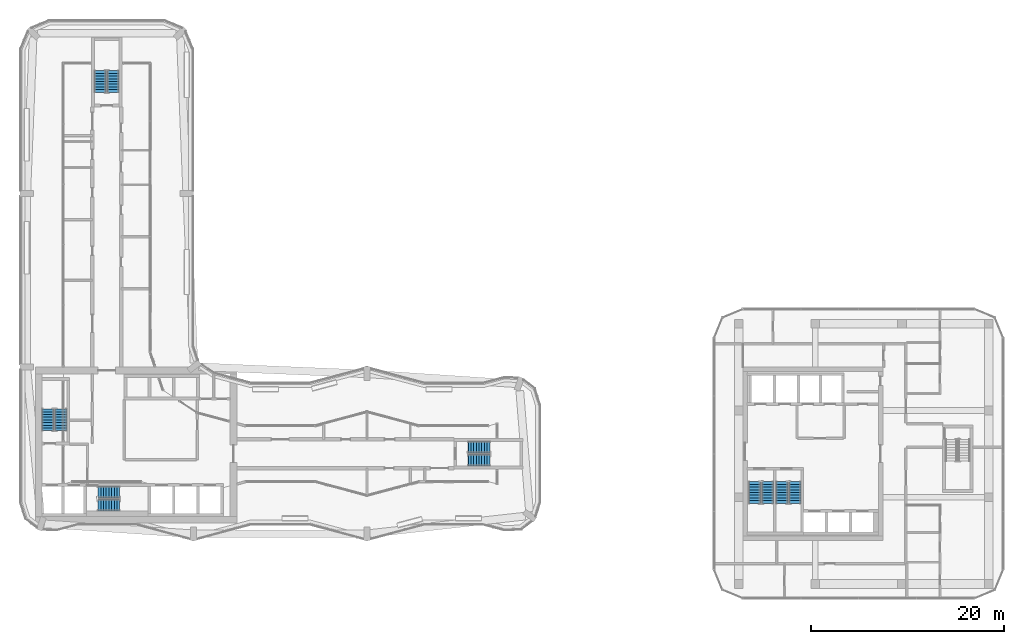
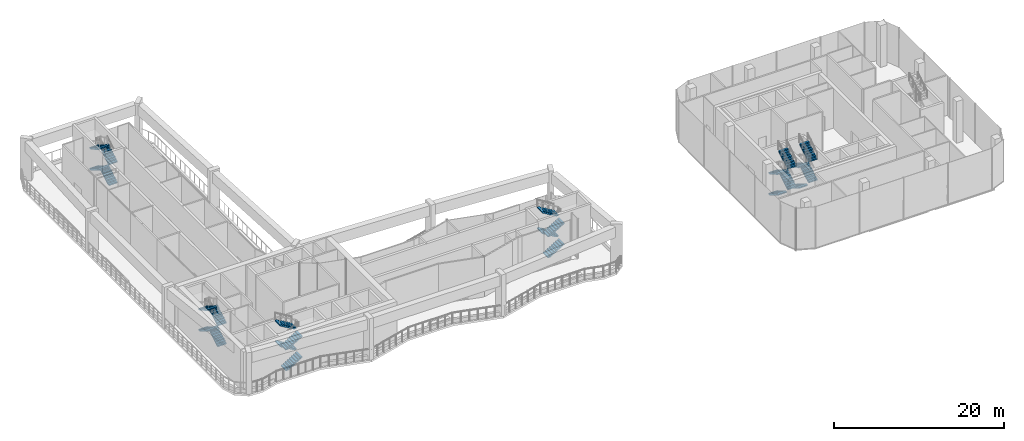
# One storey, part 19 of 24: 24 stair flights, 6 elements without a shape of their own.
"""IFC4 building model written with IfcOpenShell, lengths in metres."""

from ifc_helpers import new_model, si_unit, direction, frame, origin, place, context, subcontext, project, spatial, polyline, outline, extrude, material, type_object, element, aggregate, save


model = new_model("IFC4")

# Units and contexts
model_context = context("Model", 3, precision=1e-05, world=origin(), true_north=direction((0.0, 1.0)))
body_context = subcontext(model_context, "Body", "Model", "MODEL_VIEW")
ifc_project = project(units=[si_unit("LENGTHUNIT", "METRE"), si_unit("AREAUNIT", "SQUARE_METRE"), si_unit("VOLUMEUNIT", "CUBIC_METRE"), si_unit("PLANEANGLEUNIT", "RADIAN"), si_unit("MASSUNIT", "GRAM", prefix="KILO")], contexts=[model_context])

# Site, building, storey
site_placement = place(None, origin())
site = spatial("IfcSite", under=ifc_project, at=site_placement, CompositionType="ELEMENT")
building_placement = place(site_placement, origin())
building = spatial("IfcBuilding", under=site, at=building_placement, Name="Plateau Cross Towers", CompositionType="ELEMENT")
storey_placement = place(building_placement, frame((0.0, 0.0, 72.300048828125)))
storey = spatial("IfcBuildingStorey", under=building, at=storey_placement, Name="L18", CompositionType="ELEMENT", Elevation=72.300048828125)

# Stair, stair flights
ifc_material = material(Name="Concrete C40/50", Category="concrete")
stair_type = type_object("IfcStairType", Name="ST-TWR", PredefinedType="HALF_TURN_STAIR", material=ifc_material)
stair_1_placement = place(storey_placement, origin())
stair_1 = element("IfcStair", 1, at=stair_1_placement, inside=storey, type_object=stair_type, Name="L18 Protected Exit Stair ST-1", PredefinedType="HALF_TURN_STAIR")
stair_flight_type = type_object("IfcStairFlightType", Name="SFL-RC", PredefinedType="STRAIGHT", material=ifc_material)
stair_flight_1_placement = place(storey_placement, frame((4.25, 11.39990234375, 0.0), z_axis=(0.0, 0.0, 1.0), x_axis=(0.0, 1.0, 0.0)))
stair_flight_1 = element("IfcStairFlight", 2, at=stair_flight_1_placement, type_object=stair_flight_type, Name="ST-1 flight 1", NumberOfRisers=9, NumberOfTreads=8, PredefinedType="STRAIGHT", RiserHeight=0.166666667, TreadLength=0.28, context=body_context, shape_type="SweptSolid", body=[
    extrude(outline(polyline([(-0.0048828125, -0.010009765625), (-0.0048828125, 0.0), (0.0, 0.0), (0.0, 0.166748046875), (0.280029296875, 0.166748046875), (0.280029296875, 0.333251953125), (0.56005859375, 0.333251953125), (0.56005859375, 0.5), (0.840087890625, 0.5), (0.840087890625, 0.666748046875), (1.1201171875, 0.666748046875), (1.1201171875, 0.833251953125), (1.39990234375, 0.833251953125), (1.39990234375, 1.0), (1.679931640625, 1.0), (1.679931640625, 1.166748046875), (1.9599609375, 1.166748046875), (1.9599609375, 1.333251953125), (2.239990234375, 1.333251953125), (2.2451171875, 1.3232421875), (2.2451171875, 1.158935546875), (2.239990234375, 1.158935546875), (0.29296875, 0.0), (0.02001953125, 0.0), (0.02001953125, -0.010009765625), (-0.0048828125, -0.010009765625)])), frame((0.0, 0.60009765625, 0.0), z_axis=(0.0, -1.0, 0.0), x_axis=(1.0, 0.0, 0.0)), (0.0, 0.0, 1.0), 1.199951171875),
])
stair_flight_2_placement = place(storey_placement, frame((2.89990234375, 13.639892578125, 1.5), z_axis=(0.0, 0.0, 1.0), x_axis=(0.0, -1.0, 0.0)))
stair_flight_2 = element("IfcStairFlight", 3, at=stair_flight_2_placement, type_object=stair_flight_type, Name="ST-1 flight 2", NumberOfRisers=9, NumberOfTreads=8, PredefinedType="STRAIGHT", RiserHeight=0.166666667, TreadLength=0.28, context=body_context, shape_type="SweptSolid", body=[
    extrude(outline(polyline([(-0.0048828125, -0.010009765625), (-0.0048828125, 0.0), (0.0, 0.0), (0.0, 0.166748046875), (0.280029296875, 0.166748046875), (0.280029296875, 0.333251953125), (0.56005859375, 0.333251953125), (0.56005859375, 0.5), (0.840087890625, 0.5), (0.840087890625, 0.666748046875), (1.1201171875, 0.666748046875), (1.1201171875, 0.833251953125), (1.39990234375, 0.833251953125), (1.39990234375, 1.0), (1.679931640625, 1.0), (1.679931640625, 1.166748046875), (1.9599609375, 1.166748046875), (1.9599609375, 1.333251953125), (2.239990234375, 1.333251953125), (2.2451171875, 1.3232421875), (2.2451171875, 1.158935546875), (2.239990234375, 1.158935546875), (0.29296875, 0.0), (0.02001953125, 0.0), (0.02001953125, -0.010009765625), (-0.0048828125, -0.010009765625)])), frame((0.0, 0.60009765625, 0.0), z_axis=(0.0, -1.0, 0.0), x_axis=(1.0, 0.0, 0.0)), (0.0, 0.0, 1.0), 1.199951171875),
])
stair_flight_3_placement = place(storey_placement, frame((4.25, 11.39990234375, 3.0), z_axis=(0.0, 0.0, 1.0), x_axis=(0.0, 1.0, 0.0)))
stair_flight_3 = element("IfcStairFlight", 4, at=stair_flight_3_placement, type_object=stair_flight_type, Name="ST-1 flight 3", NumberOfRisers=9, NumberOfTreads=8, PredefinedType="STRAIGHT", RiserHeight=0.166666667, TreadLength=0.28, context=body_context, shape_type="SweptSolid", body=[
    extrude(outline(polyline([(-0.0048828125, -0.010009765625), (-0.0048828125, 0.0), (0.0, 0.0), (0.0, 0.166748046875), (0.280029296875, 0.166748046875), (0.280029296875, 0.333251953125), (0.56005859375, 0.333251953125), (0.56005859375, 0.5), (0.840087890625, 0.5), (0.840087890625, 0.666748046875), (1.1201171875, 0.666748046875), (1.1201171875, 0.833251953125), (1.39990234375, 0.833251953125), (1.39990234375, 1.0), (1.679931640625, 1.0), (1.679931640625, 1.166748046875), (1.9599609375, 1.166748046875), (1.9599609375, 1.333251953125), (2.239990234375, 1.333251953125), (2.2451171875, 1.3232421875), (2.2451171875, 1.158935546875), (2.239990234375, 1.158935546875), (0.29296875, 0.0), (0.02001953125, 0.0), (0.02001953125, -0.010009765625), (-0.0048828125, -0.010009765625)])), frame((0.0, 0.60009765625, 0.0), z_axis=(0.0, -1.0, 0.0), x_axis=(1.0, 0.0, 0.0)), (0.0, 0.0, 1.0), 1.199951171875),
])
stair_flight_4_placement = place(storey_placement, frame((2.89990234375, 13.639892578125, 4.5), z_axis=(0.0, 0.0, 1.0), x_axis=(0.0, -1.0, 0.0)))
stair_flight_4 = element("IfcStairFlight", 5, at=stair_flight_4_placement, type_object=stair_flight_type, Name="ST-1 flight 4", NumberOfRisers=9, NumberOfTreads=8, PredefinedType="STRAIGHT", RiserHeight=0.166666667, TreadLength=0.28, context=body_context, shape_type="SweptSolid", body=[
    extrude(outline(polyline([(-0.0048828125, -0.010009765625), (-0.0048828125, 0.0), (0.0, 0.0), (0.0, 0.166748046875), (0.280029296875, 0.166748046875), (0.280029296875, 0.333251953125), (0.56005859375, 0.333251953125), (0.56005859375, 0.5), (0.840087890625, 0.5), (0.840087890625, 0.666748046875), (1.1201171875, 0.666748046875), (1.1201171875, 0.833251953125), (1.39990234375, 0.833251953125), (1.39990234375, 1.0), (1.679931640625, 1.0), (1.679931640625, 1.166748046875), (1.9599609375, 1.166748046875), (1.9599609375, 1.333251953125), (2.239990234375, 1.333251953125), (2.2451171875, 1.3232421875), (2.2451171875, 1.158935546875), (2.239990234375, 1.158935546875), (0.29296875, 0.0), (0.02001953125, 0.0), (0.02001953125, -0.010009765625), (-0.0048828125, -0.010009765625)])), frame((0.0, 0.60009765625, 0.0), z_axis=(0.0, -1.0, 0.0), x_axis=(1.0, 0.0, 0.0)), (0.0, 0.0, 1.0), 1.199951171875),
])
aggregate(stair_1, [stair_flight_1, stair_flight_2, stair_flight_3, stair_flight_4])

stair_2_placement = place(storey_placement, origin())
stair_2 = element("IfcStair", 6, at=stair_2_placement, inside=storey, type_object=stair_type, Name="L18 Protected Exit Stair ST-2", PredefinedType="HALF_TURN_STAIR")
stair_flight_5_placement = place(storey_placement, frame((8.10009765625, 3.64990234375, 0.0), z_axis=(0.0, 0.0, 1.0), x_axis=(1.0, 0.0, 0.0)))
stair_flight_5 = element("IfcStairFlight", 7, at=stair_flight_5_placement, type_object=stair_flight_type, Name="ST-2 flight 1", NumberOfRisers=9, NumberOfTreads=8, PredefinedType="STRAIGHT", RiserHeight=0.166666667, TreadLength=0.28, context=body_context, shape_type="SweptSolid", body=[
    extrude(outline(polyline([(-0.0048828125, -0.010009765625), (-0.0048828125, 0.0), (0.0, 0.0), (0.0, 0.166748046875), (0.280029296875, 0.166748046875), (0.280029296875, 0.333251953125), (0.56005859375, 0.333251953125), (0.56005859375, 0.5), (0.840087890625, 0.5), (0.840087890625, 0.666748046875), (1.1201171875, 0.666748046875), (1.1201171875, 0.833251953125), (1.39990234375, 0.833251953125), (1.39990234375, 1.0), (1.679931640625, 1.0), (1.679931640625, 1.166748046875), (1.9599609375, 1.166748046875), (1.9599609375, 1.333251953125), (2.239990234375, 1.333251953125), (2.2451171875, 1.3232421875), (2.2451171875, 1.158935546875), (2.239990234375, 1.158935546875), (0.29296875, 0.0), (0.02001953125, 0.0), (0.02001953125, -0.010009765625), (-0.0048828125, -0.010009765625)])), frame((0.0, 0.60009765625, 0.0), z_axis=(0.0, -1.0, 0.0), x_axis=(1.0, 0.0, 0.0)), (0.0, 0.0, 1.0), 1.199951171875),
])
stair_flight_6_placement = place(storey_placement, frame((10.340087890625, 5.0, 1.5), z_axis=(0.0, 0.0, 1.0), x_axis=(-1.0, 0.0, 0.0)))
stair_flight_6 = element("IfcStairFlight", 8, at=stair_flight_6_placement, type_object=stair_flight_type, Name="ST-2 flight 2", NumberOfRisers=9, NumberOfTreads=8, PredefinedType="STRAIGHT", RiserHeight=0.166666667, TreadLength=0.28, context=body_context, shape_type="SweptSolid", body=[
    extrude(outline(polyline([(-0.0048828125, -0.010009765625), (-0.0048828125, 0.0), (0.0, 0.0), (0.0, 0.166748046875), (0.280029296875, 0.166748046875), (0.280029296875, 0.333251953125), (0.56005859375, 0.333251953125), (0.56005859375, 0.5), (0.840087890625, 0.5), (0.840087890625, 0.666748046875), (1.1201171875, 0.666748046875), (1.1201171875, 0.833251953125), (1.39990234375, 0.833251953125), (1.39990234375, 1.0), (1.679931640625, 1.0), (1.679931640625, 1.166748046875), (1.9599609375, 1.166748046875), (1.9599609375, 1.333251953125), (2.239990234375, 1.333251953125), (2.2451171875, 1.3232421875), (2.2451171875, 1.158935546875), (2.239990234375, 1.158935546875), (0.29296875, 0.0), (0.02001953125, 0.0), (0.02001953125, -0.010009765625), (-0.0048828125, -0.010009765625)])), frame((0.0, 0.60009765625, 0.0), z_axis=(0.0, -1.0, 0.0), x_axis=(1.0, 0.0, 0.0)), (0.0, 0.0, 1.0), 1.199951171875),
])
stair_flight_7_placement = place(storey_placement, frame((8.10009765625, 3.64990234375, 3.0), z_axis=(0.0, 0.0, 1.0), x_axis=(1.0, 0.0, 0.0)))
stair_flight_7 = element("IfcStairFlight", 9, at=stair_flight_7_placement, type_object=stair_flight_type, Name="ST-2 flight 3", NumberOfRisers=9, NumberOfTreads=8, PredefinedType="STRAIGHT", RiserHeight=0.166666667, TreadLength=0.28, context=body_context, shape_type="SweptSolid", body=[
    extrude(outline(polyline([(-0.0048828125, -0.010009765625), (-0.0048828125, 0.0), (0.0, 0.0), (0.0, 0.166748046875), (0.280029296875, 0.166748046875), (0.280029296875, 0.333251953125), (0.56005859375, 0.333251953125), (0.56005859375, 0.5), (0.840087890625, 0.5), (0.840087890625, 0.666748046875), (1.1201171875, 0.666748046875), (1.1201171875, 0.833251953125), (1.39990234375, 0.833251953125), (1.39990234375, 1.0), (1.679931640625, 1.0), (1.679931640625, 1.166748046875), (1.9599609375, 1.166748046875), (1.9599609375, 1.333251953125), (2.239990234375, 1.333251953125), (2.2451171875, 1.3232421875), (2.2451171875, 1.158935546875), (2.239990234375, 1.158935546875), (0.29296875, 0.0), (0.02001953125, 0.0), (0.02001953125, -0.010009765625), (-0.0048828125, -0.010009765625)])), frame((0.0, 0.60009765625, 0.0), z_axis=(0.0, -1.0, 0.0), x_axis=(1.0, 0.0, 0.0)), (0.0, 0.0, 1.0), 1.199951171875),
])
stair_flight_8_placement = place(storey_placement, frame((10.340087890625, 5.0, 4.5), z_axis=(0.0, 0.0, 1.0), x_axis=(-1.0, 0.0, 0.0)))
stair_flight_8 = element("IfcStairFlight", 10, at=stair_flight_8_placement, type_object=stair_flight_type, Name="ST-2 flight 4", NumberOfRisers=9, NumberOfTreads=8, PredefinedType="STRAIGHT", RiserHeight=0.166666667, TreadLength=0.28, context=body_context, shape_type="SweptSolid", body=[
    extrude(outline(polyline([(-0.0048828125, -0.010009765625), (-0.0048828125, 0.0), (0.0, 0.0), (0.0, 0.166748046875), (0.280029296875, 0.166748046875), (0.280029296875, 0.333251953125), (0.56005859375, 0.333251953125), (0.56005859375, 0.5), (0.840087890625, 0.5), (0.840087890625, 0.666748046875), (1.1201171875, 0.666748046875), (1.1201171875, 0.833251953125), (1.39990234375, 0.833251953125), (1.39990234375, 1.0), (1.679931640625, 1.0), (1.679931640625, 1.166748046875), (1.9599609375, 1.166748046875), (1.9599609375, 1.333251953125), (2.239990234375, 1.333251953125), (2.2451171875, 1.3232421875), (2.2451171875, 1.158935546875), (2.239990234375, 1.158935546875), (0.29296875, 0.0), (0.02001953125, 0.0), (0.02001953125, -0.010009765625), (-0.0048828125, -0.010009765625)])), frame((0.0, 0.60009765625, 0.0), z_axis=(0.0, -1.0, 0.0), x_axis=(1.0, 0.0, 0.0)), (0.0, 0.0, 1.0), 1.199951171875),
])
aggregate(stair_2, [stair_flight_5, stair_flight_6, stair_flight_7, stair_flight_8])

stair_3_placement = place(storey_placement, origin())
stair_3 = element("IfcStair", 11, at=stair_3_placement, inside=storey, type_object=stair_type, Name="L18 Protected Exit Stair SB-1", PredefinedType="HALF_TURN_STAIR")
stair_flight_9_placement = place(storey_placement, frame((76.199951171875, 6.10009765625, 0.0), z_axis=(0.0, 0.0, 1.0), x_axis=(0.0, -1.0, 0.0)))
stair_flight_9 = element("IfcStairFlight", 12, at=stair_flight_9_placement, type_object=stair_flight_type, Name="SB-1 flight 1", NumberOfRisers=9, NumberOfTreads=8, PredefinedType="STRAIGHT", RiserHeight=0.166666667, TreadLength=0.28, context=body_context, shape_type="SweptSolid", body=[
    extrude(outline(polyline([(-0.0048828125, -0.010009765625), (-0.0048828125, 0.0), (0.0, 0.0), (0.0, 0.166748046875), (0.280029296875, 0.166748046875), (0.280029296875, 0.333251953125), (0.56005859375, 0.333251953125), (0.56005859375, 0.5), (0.840087890625, 0.5), (0.840087890625, 0.666748046875), (1.1201171875, 0.666748046875), (1.1201171875, 0.833251953125), (1.39990234375, 0.833251953125), (1.39990234375, 1.0), (1.679931640625, 1.0), (1.679931640625, 1.166748046875), (1.9599609375, 1.166748046875), (1.9599609375, 1.333251953125), (2.239990234375, 1.333251953125), (2.2451171875, 1.3232421875), (2.2451171875, 1.158935546875), (2.239990234375, 1.158935546875), (0.29296875, 0.0), (0.02001953125, 0.0), (0.02001953125, -0.010009765625), (-0.0048828125, -0.010009765625)])), frame((0.0, 0.60009765625, 0.0), z_axis=(0.0, -1.0, 0.0), x_axis=(1.0, 0.0, 0.0)), (0.0, 0.0, 1.0), 1.199951171875),
])
stair_flight_10_placement = place(storey_placement, frame((77.550048828125, 3.860107421875, 1.5), z_axis=(0.0, 0.0, 1.0), x_axis=(0.0, 1.0, 0.0)))
stair_flight_10 = element("IfcStairFlight", 13, at=stair_flight_10_placement, type_object=stair_flight_type, Name="SB-1 flight 2", NumberOfRisers=9, NumberOfTreads=8, PredefinedType="STRAIGHT", RiserHeight=0.166666667, TreadLength=0.28, context=body_context, shape_type="SweptSolid", body=[
    extrude(outline(polyline([(-0.0048828125, -0.010009765625), (-0.0048828125, 0.0), (0.0, 0.0), (0.0, 0.166748046875), (0.280029296875, 0.166748046875), (0.280029296875, 0.333251953125), (0.56005859375, 0.333251953125), (0.56005859375, 0.5), (0.840087890625, 0.5), (0.840087890625, 0.666748046875), (1.1201171875, 0.666748046875), (1.1201171875, 0.833251953125), (1.39990234375, 0.833251953125), (1.39990234375, 1.0), (1.679931640625, 1.0), (1.679931640625, 1.166748046875), (1.9599609375, 1.166748046875), (1.9599609375, 1.333251953125), (2.239990234375, 1.333251953125), (2.2451171875, 1.3232421875), (2.2451171875, 1.158935546875), (2.239990234375, 1.158935546875), (0.29296875, 0.0), (0.02001953125, 0.0), (0.02001953125, -0.010009765625), (-0.0048828125, -0.010009765625)])), frame((0.0, 0.60009765625, 0.0), z_axis=(0.0, -1.0, 0.0), x_axis=(1.0, 0.0, 0.0)), (0.0, 0.0, 1.0), 1.199951171875),
])
stair_flight_11_placement = place(storey_placement, frame((76.199951171875, 6.10009765625, 3.0), z_axis=(0.0, 0.0, 1.0), x_axis=(0.0, -1.0, 0.0)))
stair_flight_11 = element("IfcStairFlight", 14, at=stair_flight_11_placement, type_object=stair_flight_type, Name="SB-1 flight 3", NumberOfRisers=9, NumberOfTreads=8, PredefinedType="STRAIGHT", RiserHeight=0.166666667, TreadLength=0.28, context=body_context, shape_type="SweptSolid", body=[
    extrude(outline(polyline([(-0.0048828125, -0.010009765625), (-0.0048828125, 0.0), (0.0, 0.0), (0.0, 0.166748046875), (0.280029296875, 0.166748046875), (0.280029296875, 0.333251953125), (0.56005859375, 0.333251953125), (0.56005859375, 0.5), (0.840087890625, 0.5), (0.840087890625, 0.666748046875), (1.1201171875, 0.666748046875), (1.1201171875, 0.833251953125), (1.39990234375, 0.833251953125), (1.39990234375, 1.0), (1.679931640625, 1.0), (1.679931640625, 1.166748046875), (1.9599609375, 1.166748046875), (1.9599609375, 1.333251953125), (2.239990234375, 1.333251953125), (2.2451171875, 1.3232421875), (2.2451171875, 1.158935546875), (2.239990234375, 1.158935546875), (0.29296875, 0.0), (0.02001953125, 0.0), (0.02001953125, -0.010009765625), (-0.0048828125, -0.010009765625)])), frame((0.0, 0.60009765625, 0.0), z_axis=(0.0, -1.0, 0.0), x_axis=(1.0, 0.0, 0.0)), (0.0, 0.0, 1.0), 1.199951171875),
])
stair_flight_12_placement = place(storey_placement, frame((77.550048828125, 3.860107421875, 4.5), z_axis=(0.0, 0.0, 1.0), x_axis=(0.0, 1.0, 0.0)))
stair_flight_12 = element("IfcStairFlight", 15, at=stair_flight_12_placement, type_object=stair_flight_type, Name="SB-1 flight 4", NumberOfRisers=9, NumberOfTreads=8, PredefinedType="STRAIGHT", RiserHeight=0.166666667, TreadLength=0.28, context=body_context, shape_type="SweptSolid", body=[
    extrude(outline(polyline([(-0.0048828125, -0.010009765625), (-0.0048828125, 0.0), (0.0, 0.0), (0.0, 0.166748046875), (0.280029296875, 0.166748046875), (0.280029296875, 0.333251953125), (0.56005859375, 0.333251953125), (0.56005859375, 0.5), (0.840087890625, 0.5), (0.840087890625, 0.666748046875), (1.1201171875, 0.666748046875), (1.1201171875, 0.833251953125), (1.39990234375, 0.833251953125), (1.39990234375, 1.0), (1.679931640625, 1.0), (1.679931640625, 1.166748046875), (1.9599609375, 1.166748046875), (1.9599609375, 1.333251953125), (2.239990234375, 1.333251953125), (2.2451171875, 1.3232421875), (2.2451171875, 1.158935546875), (2.239990234375, 1.158935546875), (0.29296875, 0.0), (0.02001953125, 0.0), (0.02001953125, -0.010009765625), (-0.0048828125, -0.010009765625)])), frame((0.0, 0.60009765625, 0.0), z_axis=(0.0, -1.0, 0.0), x_axis=(1.0, 0.0, 0.0)), (0.0, 0.0, 1.0), 1.199951171875),
])
aggregate(stair_3, [stair_flight_9, stair_flight_10, stair_flight_11, stair_flight_12])

stair_4_placement = place(storey_placement, origin())
stair_4 = element("IfcStair", 16, at=stair_4_placement, inside=storey, type_object=stair_type, Name="L18 Protected Exit Stair SB-2", PredefinedType="HALF_TURN_STAIR")
stair_flight_13_placement = place(storey_placement, frame((79.050048828125, 6.10009765625, 0.0), z_axis=(0.0, 0.0, 1.0), x_axis=(0.0, -1.0, 0.0)))
stair_flight_13 = element("IfcStairFlight", 17, at=stair_flight_13_placement, type_object=stair_flight_type, Name="SB-2 flight 1", NumberOfRisers=9, NumberOfTreads=8, PredefinedType="STRAIGHT", RiserHeight=0.166666667, TreadLength=0.28, context=body_context, shape_type="SweptSolid", body=[
    extrude(outline(polyline([(-0.0048828125, -0.010009765625), (-0.0048828125, 0.0), (0.0, 0.0), (0.0, 0.166748046875), (0.280029296875, 0.166748046875), (0.280029296875, 0.333251953125), (0.56005859375, 0.333251953125), (0.56005859375, 0.5), (0.840087890625, 0.5), (0.840087890625, 0.666748046875), (1.1201171875, 0.666748046875), (1.1201171875, 0.833251953125), (1.39990234375, 0.833251953125), (1.39990234375, 1.0), (1.679931640625, 1.0), (1.679931640625, 1.166748046875), (1.9599609375, 1.166748046875), (1.9599609375, 1.333251953125), (2.239990234375, 1.333251953125), (2.2451171875, 1.3232421875), (2.2451171875, 1.158935546875), (2.239990234375, 1.158935546875), (0.29296875, 0.0), (0.02001953125, 0.0), (0.02001953125, -0.010009765625), (-0.0048828125, -0.010009765625)])), frame((0.0, 0.60009765625, 0.0), z_axis=(0.0, -1.0, 0.0), x_axis=(1.0, 0.0, 0.0)), (0.0, 0.0, 1.0), 1.199951171875),
])
stair_flight_14_placement = place(storey_placement, frame((80.39990234375, 3.860107421875, 1.5), z_axis=(0.0, 0.0, 1.0), x_axis=(0.0, 1.0, 0.0)))
stair_flight_14 = element("IfcStairFlight", 18, at=stair_flight_14_placement, type_object=stair_flight_type, Name="SB-2 flight 2", NumberOfRisers=9, NumberOfTreads=8, PredefinedType="STRAIGHT", RiserHeight=0.166666667, TreadLength=0.28, context=body_context, shape_type="SweptSolid", body=[
    extrude(outline(polyline([(-0.0048828125, -0.010009765625), (-0.0048828125, 0.0), (0.0, 0.0), (0.0, 0.166748046875), (0.280029296875, 0.166748046875), (0.280029296875, 0.333251953125), (0.56005859375, 0.333251953125), (0.56005859375, 0.5), (0.840087890625, 0.5), (0.840087890625, 0.666748046875), (1.1201171875, 0.666748046875), (1.1201171875, 0.833251953125), (1.39990234375, 0.833251953125), (1.39990234375, 1.0), (1.679931640625, 1.0), (1.679931640625, 1.166748046875), (1.9599609375, 1.166748046875), (1.9599609375, 1.333251953125), (2.239990234375, 1.333251953125), (2.2451171875, 1.3232421875), (2.2451171875, 1.158935546875), (2.239990234375, 1.158935546875), (0.29296875, 0.0), (0.02001953125, 0.0), (0.02001953125, -0.010009765625), (-0.0048828125, -0.010009765625)])), frame((0.0, 0.60009765625, 0.0), z_axis=(0.0, -1.0, 0.0), x_axis=(1.0, 0.0, 0.0)), (0.0, 0.0, 1.0), 1.199951171875),
])
stair_flight_15_placement = place(storey_placement, frame((79.050048828125, 6.10009765625, 3.0), z_axis=(0.0, 0.0, 1.0), x_axis=(0.0, -1.0, 0.0)))
stair_flight_15 = element("IfcStairFlight", 19, at=stair_flight_15_placement, type_object=stair_flight_type, Name="SB-2 flight 3", NumberOfRisers=9, NumberOfTreads=8, PredefinedType="STRAIGHT", RiserHeight=0.166666667, TreadLength=0.28, context=body_context, shape_type="SweptSolid", body=[
    extrude(outline(polyline([(-0.0048828125, -0.010009765625), (-0.0048828125, 0.0), (0.0, 0.0), (0.0, 0.166748046875), (0.280029296875, 0.166748046875), (0.280029296875, 0.333251953125), (0.56005859375, 0.333251953125), (0.56005859375, 0.5), (0.840087890625, 0.5), (0.840087890625, 0.666748046875), (1.1201171875, 0.666748046875), (1.1201171875, 0.833251953125), (1.39990234375, 0.833251953125), (1.39990234375, 1.0), (1.679931640625, 1.0), (1.679931640625, 1.166748046875), (1.9599609375, 1.166748046875), (1.9599609375, 1.333251953125), (2.239990234375, 1.333251953125), (2.2451171875, 1.3232421875), (2.2451171875, 1.158935546875), (2.239990234375, 1.158935546875), (0.29296875, 0.0), (0.02001953125, 0.0), (0.02001953125, -0.010009765625), (-0.0048828125, -0.010009765625)])), frame((0.0, 0.60009765625, 0.0), z_axis=(0.0, -1.0, 0.0), x_axis=(1.0, 0.0, 0.0)), (0.0, 0.0, 1.0), 1.199951171875),
])
stair_flight_16_placement = place(storey_placement, frame((80.39990234375, 3.860107421875, 4.5), z_axis=(0.0, 0.0, 1.0), x_axis=(0.0, 1.0, 0.0)))
stair_flight_16 = element("IfcStairFlight", 20, at=stair_flight_16_placement, type_object=stair_flight_type, Name="SB-2 flight 4", NumberOfRisers=9, NumberOfTreads=8, PredefinedType="STRAIGHT", RiserHeight=0.166666667, TreadLength=0.28, context=body_context, shape_type="SweptSolid", body=[
    extrude(outline(polyline([(-0.0048828125, -0.010009765625), (-0.0048828125, 0.0), (0.0, 0.0), (0.0, 0.166748046875), (0.280029296875, 0.166748046875), (0.280029296875, 0.333251953125), (0.56005859375, 0.333251953125), (0.56005859375, 0.5), (0.840087890625, 0.5), (0.840087890625, 0.666748046875), (1.1201171875, 0.666748046875), (1.1201171875, 0.833251953125), (1.39990234375, 0.833251953125), (1.39990234375, 1.0), (1.679931640625, 1.0), (1.679931640625, 1.166748046875), (1.9599609375, 1.166748046875), (1.9599609375, 1.333251953125), (2.239990234375, 1.333251953125), (2.2451171875, 1.3232421875), (2.2451171875, 1.158935546875), (2.239990234375, 1.158935546875), (0.29296875, 0.0), (0.02001953125, 0.0), (0.02001953125, -0.010009765625), (-0.0048828125, -0.010009765625)])), frame((0.0, 0.60009765625, 0.0), z_axis=(0.0, -1.0, 0.0), x_axis=(1.0, 0.0, 0.0)), (0.0, 0.0, 1.0), 1.199951171875),
])
aggregate(stair_4, [stair_flight_13, stair_flight_14, stair_flight_15, stair_flight_16])

stair_5_placement = place(storey_placement, origin())
stair_5 = element("IfcStair", 21, at=stair_5_placement, inside=storey, type_object=stair_type, Name="L18 Protected Exit Stair E", PredefinedType="HALF_TURN_STAIR")
stair_flight_17_placement = place(storey_placement, frame((46.5, 8.324951171875, 0.0), z_axis=(0.0, 0.0, 1.0), x_axis=(1.0, 0.0, 0.0)))
stair_flight_17 = element("IfcStairFlight", 22, at=stair_flight_17_placement, type_object=stair_flight_type, Name="ES-E flight 1", NumberOfRisers=9, NumberOfTreads=8, PredefinedType="STRAIGHT", RiserHeight=0.166666667, TreadLength=0.28, context=body_context, shape_type="SweptSolid", body=[
    extrude(outline(polyline([(-0.0048828125, -0.010009765625), (-0.0048828125, 0.0), (0.0, 0.0), (0.0, 0.166748046875), (0.280029296875, 0.166748046875), (0.280029296875, 0.333251953125), (0.56005859375, 0.333251953125), (0.56005859375, 0.5), (0.840087890625, 0.5), (0.840087890625, 0.666748046875), (1.1201171875, 0.666748046875), (1.1201171875, 0.833251953125), (1.39990234375, 0.833251953125), (1.39990234375, 1.0), (1.679931640625, 1.0), (1.679931640625, 1.166748046875), (1.9599609375, 1.166748046875), (1.9599609375, 1.333251953125), (2.239990234375, 1.333251953125), (2.2451171875, 1.3232421875), (2.2451171875, 1.158935546875), (2.239990234375, 1.158935546875), (0.29296875, 0.0), (0.02001953125, 0.0), (0.02001953125, -0.010009765625), (-0.0048828125, -0.010009765625)])), frame((0.0, 0.60009765625, 0.0), z_axis=(0.0, -1.0, 0.0), x_axis=(1.0, 0.0, 0.0)), (0.0, 0.0, 1.0), 1.199951171875),
])
stair_flight_18_placement = place(storey_placement, frame((48.739990234375, 9.675048828125, 1.5), z_axis=(0.0, 0.0, 1.0), x_axis=(-1.0, 0.0, 0.0)))
stair_flight_18 = element("IfcStairFlight", 23, at=stair_flight_18_placement, type_object=stair_flight_type, Name="ES-E flight 2", NumberOfRisers=9, NumberOfTreads=8, PredefinedType="STRAIGHT", RiserHeight=0.166666667, TreadLength=0.28, context=body_context, shape_type="SweptSolid", body=[
    extrude(outline(polyline([(-0.0048828125, -0.010009765625), (-0.0048828125, 0.0), (0.0, 0.0), (0.0, 0.166748046875), (0.280029296875, 0.166748046875), (0.280029296875, 0.333251953125), (0.56005859375, 0.333251953125), (0.56005859375, 0.5), (0.840087890625, 0.5), (0.840087890625, 0.666748046875), (1.1201171875, 0.666748046875), (1.1201171875, 0.833251953125), (1.39990234375, 0.833251953125), (1.39990234375, 1.0), (1.679931640625, 1.0), (1.679931640625, 1.166748046875), (1.9599609375, 1.166748046875), (1.9599609375, 1.333251953125), (2.239990234375, 1.333251953125), (2.2451171875, 1.3232421875), (2.2451171875, 1.158935546875), (2.239990234375, 1.158935546875), (0.29296875, 0.0), (0.02001953125, 0.0), (0.02001953125, -0.010009765625), (-0.0048828125, -0.010009765625)])), frame((0.0, 0.60009765625, 0.0), z_axis=(0.0, -1.0, 0.0), x_axis=(1.0, 0.0, 0.0)), (0.0, 0.0, 1.0), 1.199951171875),
])
stair_flight_19_placement = place(storey_placement, frame((46.5, 8.324951171875, 3.0), z_axis=(0.0, 0.0, 1.0), x_axis=(1.0, 0.0, 0.0)))
stair_flight_19 = element("IfcStairFlight", 24, at=stair_flight_19_placement, type_object=stair_flight_type, Name="ES-E flight 3", NumberOfRisers=9, NumberOfTreads=8, PredefinedType="STRAIGHT", RiserHeight=0.166666667, TreadLength=0.28, context=body_context, shape_type="SweptSolid", body=[
    extrude(outline(polyline([(-0.0048828125, -0.010009765625), (-0.0048828125, 0.0), (0.0, 0.0), (0.0, 0.166748046875), (0.280029296875, 0.166748046875), (0.280029296875, 0.333251953125), (0.56005859375, 0.333251953125), (0.56005859375, 0.5), (0.840087890625, 0.5), (0.840087890625, 0.666748046875), (1.1201171875, 0.666748046875), (1.1201171875, 0.833251953125), (1.39990234375, 0.833251953125), (1.39990234375, 1.0), (1.679931640625, 1.0), (1.679931640625, 1.166748046875), (1.9599609375, 1.166748046875), (1.9599609375, 1.333251953125), (2.239990234375, 1.333251953125), (2.2451171875, 1.3232421875), (2.2451171875, 1.158935546875), (2.239990234375, 1.158935546875), (0.29296875, 0.0), (0.02001953125, 0.0), (0.02001953125, -0.010009765625), (-0.0048828125, -0.010009765625)])), frame((0.0, 0.60009765625, 0.0), z_axis=(0.0, -1.0, 0.0), x_axis=(1.0, 0.0, 0.0)), (0.0, 0.0, 1.0), 1.199951171875),
])
stair_flight_20_placement = place(storey_placement, frame((48.739990234375, 9.675048828125, 4.5), z_axis=(0.0, 0.0, 1.0), x_axis=(-1.0, 0.0, 0.0)))
stair_flight_20 = element("IfcStairFlight", 25, at=stair_flight_20_placement, type_object=stair_flight_type, Name="ES-E flight 4", NumberOfRisers=9, NumberOfTreads=8, PredefinedType="STRAIGHT", RiserHeight=0.166666667, TreadLength=0.28, context=body_context, shape_type="SweptSolid", body=[
    extrude(outline(polyline([(-0.0048828125, -0.010009765625), (-0.0048828125, 0.0), (0.0, 0.0), (0.0, 0.166748046875), (0.280029296875, 0.166748046875), (0.280029296875, 0.333251953125), (0.56005859375, 0.333251953125), (0.56005859375, 0.5), (0.840087890625, 0.5), (0.840087890625, 0.666748046875), (1.1201171875, 0.666748046875), (1.1201171875, 0.833251953125), (1.39990234375, 0.833251953125), (1.39990234375, 1.0), (1.679931640625, 1.0), (1.679931640625, 1.166748046875), (1.9599609375, 1.166748046875), (1.9599609375, 1.333251953125), (2.239990234375, 1.333251953125), (2.2451171875, 1.3232421875), (2.2451171875, 1.158935546875), (2.239990234375, 1.158935546875), (0.29296875, 0.0), (0.02001953125, 0.0), (0.02001953125, -0.010009765625), (-0.0048828125, -0.010009765625)])), frame((0.0, 0.60009765625, 0.0), z_axis=(0.0, -1.0, 0.0), x_axis=(1.0, 0.0, 0.0)), (0.0, 0.0, 1.0), 1.199951171875),
])
aggregate(stair_5, [stair_flight_17, stair_flight_18, stair_flight_19, stair_flight_20])

stair_6_placement = place(storey_placement, origin())
stair_6 = element("IfcStair", 26, at=stair_6_placement, inside=storey, type_object=stair_type, Name="L18 Protected Exit Stair N", PredefinedType="HALF_TURN_STAIR")
stair_flight_21_placement = place(storey_placement, frame((9.675048828125, 46.5, 0.0), z_axis=(0.0, 0.0, 1.0), x_axis=(0.0, 1.0, 0.0)))
stair_flight_21 = element("IfcStairFlight", 27, at=stair_flight_21_placement, type_object=stair_flight_type, Name="ES-N flight 1", NumberOfRisers=9, NumberOfTreads=8, PredefinedType="STRAIGHT", RiserHeight=0.166666667, TreadLength=0.28, context=body_context, shape_type="SweptSolid", body=[
    extrude(outline(polyline([(-0.0048828125, -0.010009765625), (-0.0048828125, 0.0), (0.0, 0.0), (0.0, 0.166748046875), (0.280029296875, 0.166748046875), (0.280029296875, 0.333251953125), (0.56005859375, 0.333251953125), (0.56005859375, 0.5), (0.840087890625, 0.5), (0.840087890625, 0.666748046875), (1.1201171875, 0.666748046875), (1.1201171875, 0.833251953125), (1.39990234375, 0.833251953125), (1.39990234375, 1.0), (1.679931640625, 1.0), (1.679931640625, 1.166748046875), (1.9599609375, 1.166748046875), (1.9599609375, 1.333251953125), (2.239990234375, 1.333251953125), (2.2451171875, 1.3232421875), (2.2451171875, 1.158935546875), (2.239990234375, 1.158935546875), (0.29296875, 0.0), (0.02001953125, 0.0), (0.02001953125, -0.010009765625), (-0.0048828125, -0.010009765625)])), frame((0.0, 0.60009765625, 0.0), z_axis=(0.0, -1.0, 0.0), x_axis=(1.0, 0.0, 0.0)), (0.0, 0.0, 1.0), 1.199951171875),
])
stair_flight_22_placement = place(storey_placement, frame((8.324951171875, 48.739990234375, 1.5), z_axis=(0.0, 0.0, 1.0), x_axis=(0.0, -1.0, 0.0)))
stair_flight_22 = element("IfcStairFlight", 28, at=stair_flight_22_placement, type_object=stair_flight_type, Name="ES-N flight 2", NumberOfRisers=9, NumberOfTreads=8, PredefinedType="STRAIGHT", RiserHeight=0.166666667, TreadLength=0.28, context=body_context, shape_type="SweptSolid", body=[
    extrude(outline(polyline([(-0.0048828125, -0.010009765625), (-0.0048828125, 0.0), (0.0, 0.0), (0.0, 0.166748046875), (0.280029296875, 0.166748046875), (0.280029296875, 0.333251953125), (0.56005859375, 0.333251953125), (0.56005859375, 0.5), (0.840087890625, 0.5), (0.840087890625, 0.666748046875), (1.1201171875, 0.666748046875), (1.1201171875, 0.833251953125), (1.39990234375, 0.833251953125), (1.39990234375, 1.0), (1.679931640625, 1.0), (1.679931640625, 1.166748046875), (1.9599609375, 1.166748046875), (1.9599609375, 1.333251953125), (2.239990234375, 1.333251953125), (2.2451171875, 1.3232421875), (2.2451171875, 1.158935546875), (2.239990234375, 1.158935546875), (0.29296875, 0.0), (0.02001953125, 0.0), (0.02001953125, -0.010009765625), (-0.0048828125, -0.010009765625)])), frame((0.0, 0.60009765625, 0.0), z_axis=(0.0, -1.0, 0.0), x_axis=(1.0, 0.0, 0.0)), (0.0, 0.0, 1.0), 1.199951171875),
])
stair_flight_23_placement = place(storey_placement, frame((9.675048828125, 46.5, 3.0), z_axis=(0.0, 0.0, 1.0), x_axis=(0.0, 1.0, 0.0)))
stair_flight_23 = element("IfcStairFlight", 29, at=stair_flight_23_placement, type_object=stair_flight_type, Name="ES-N flight 3", NumberOfRisers=9, NumberOfTreads=8, PredefinedType="STRAIGHT", RiserHeight=0.166666667, TreadLength=0.28, context=body_context, shape_type="SweptSolid", body=[
    extrude(outline(polyline([(-0.0048828125, -0.010009765625), (-0.0048828125, 0.0), (0.0, 0.0), (0.0, 0.166748046875), (0.280029296875, 0.166748046875), (0.280029296875, 0.333251953125), (0.56005859375, 0.333251953125), (0.56005859375, 0.5), (0.840087890625, 0.5), (0.840087890625, 0.666748046875), (1.1201171875, 0.666748046875), (1.1201171875, 0.833251953125), (1.39990234375, 0.833251953125), (1.39990234375, 1.0), (1.679931640625, 1.0), (1.679931640625, 1.166748046875), (1.9599609375, 1.166748046875), (1.9599609375, 1.333251953125), (2.239990234375, 1.333251953125), (2.2451171875, 1.3232421875), (2.2451171875, 1.158935546875), (2.239990234375, 1.158935546875), (0.29296875, 0.0), (0.02001953125, 0.0), (0.02001953125, -0.010009765625), (-0.0048828125, -0.010009765625)])), frame((0.0, 0.60009765625, 0.0), z_axis=(0.0, -1.0, 0.0), x_axis=(1.0, 0.0, 0.0)), (0.0, 0.0, 1.0), 1.199951171875),
])
stair_flight_24_placement = place(storey_placement, frame((8.324951171875, 48.739990234375, 4.5), z_axis=(0.0, 0.0, 1.0), x_axis=(0.0, -1.0, 0.0)))
stair_flight_24 = element("IfcStairFlight", 30, at=stair_flight_24_placement, type_object=stair_flight_type, Name="ES-N flight 4", NumberOfRisers=9, NumberOfTreads=8, PredefinedType="STRAIGHT", RiserHeight=0.166666667, TreadLength=0.28, context=body_context, shape_type="SweptSolid", body=[
    extrude(outline(polyline([(-0.0048828125, -0.010009765625), (-0.0048828125, 0.0), (0.0, 0.0), (0.0, 0.166748046875), (0.280029296875, 0.166748046875), (0.280029296875, 0.333251953125), (0.56005859375, 0.333251953125), (0.56005859375, 0.5), (0.840087890625, 0.5), (0.840087890625, 0.666748046875), (1.1201171875, 0.666748046875), (1.1201171875, 0.833251953125), (1.39990234375, 0.833251953125), (1.39990234375, 1.0), (1.679931640625, 1.0), (1.679931640625, 1.166748046875), (1.9599609375, 1.166748046875), (1.9599609375, 1.333251953125), (2.239990234375, 1.333251953125), (2.2451171875, 1.3232421875), (2.2451171875, 1.158935546875), (2.239990234375, 1.158935546875), (0.29296875, 0.0), (0.02001953125, 0.0), (0.02001953125, -0.010009765625), (-0.0048828125, -0.010009765625)])), frame((0.0, 0.60009765625, 0.0), z_axis=(0.0, -1.0, 0.0), x_axis=(1.0, 0.0, 0.0)), (0.0, 0.0, 1.0), 1.199951171875),
])
aggregate(stair_6, [stair_flight_21, stair_flight_22, stair_flight_23, stair_flight_24])

save(model, "model.ifc")
